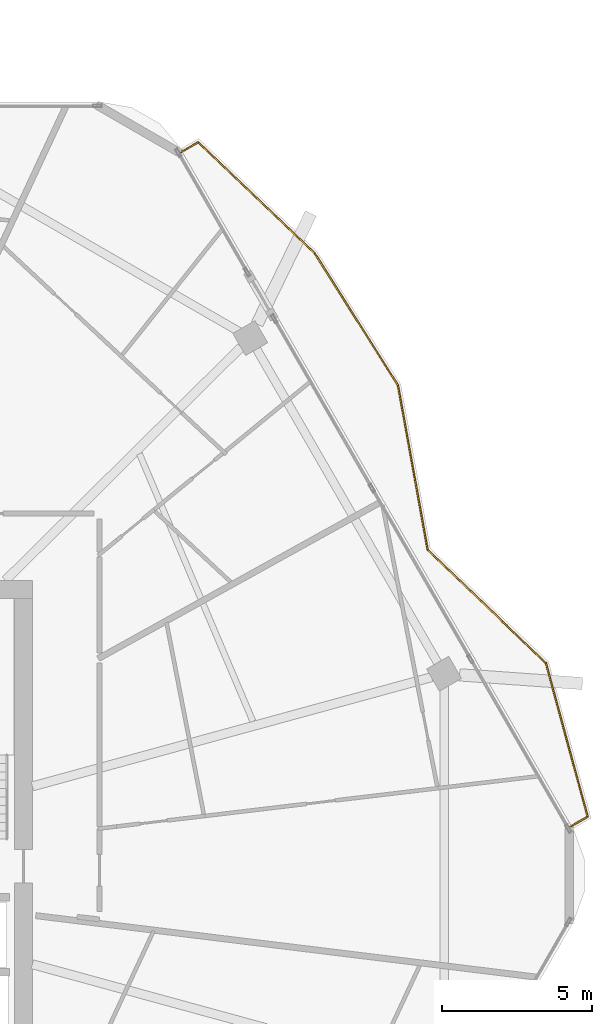
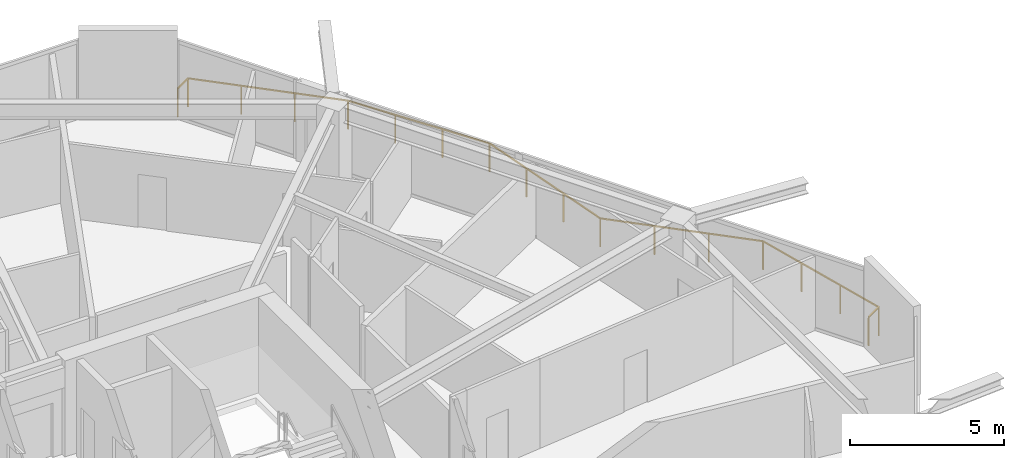
# One storey, part 26 of 26: 1 railing.
"""IFC4 building model written with IfcOpenShell, lengths in metres."""

from ifc_helpers import new_model, si_unit, direction, frame, origin, origin_2d, place, context, subcontext, project, spatial, rectangle, extrude, material, type_object, element, save


model = new_model("IFC4")

# Units and contexts
model_context = context("Model", 3, precision=1e-05, world=origin(), true_north=direction((0.0, 1.0)))
body_context = subcontext(model_context, "Body", "Model", "MODEL_VIEW")
ifc_project = project(units=[si_unit("LENGTHUNIT", "METRE"), si_unit("AREAUNIT", "SQUARE_METRE"), si_unit("VOLUMEUNIT", "CUBIC_METRE"), si_unit("PLANEANGLEUNIT", "RADIAN"), si_unit("MASSUNIT", "GRAM", prefix="KILO")], contexts=[model_context])

# Site, building, storey
site_placement = place(None, origin())
site = spatial("IfcSite", under=ifc_project, at=site_placement, CompositionType="ELEMENT")
building_placement = place(site_placement, origin())
building = spatial("IfcBuilding", under=site, at=building_placement, Name="Zuhravey Tower", CompositionType="ELEMENT")
storey_placement = place(building_placement, frame((0.0, 0.0, 273.0)))
storey = spatial("IfcBuildingStorey", under=building, at=storey_placement, Name="L69", CompositionType="ELEMENT", Elevation=273.0)

# Railing
ifc_material = material(Name="Stainless steel 316 and laminated glass", Category="steel")
railing_type = type_object("IfcRailingType", Name="Balcony & Terrace Guardrail 1150", PredefinedType="BALUSTRADE", material=ifc_material)
railing_placement = place(storey_placement, frame((51.74169921875, 56.031982421875, 0.0)))
element("IfcRailing", 1, at=railing_placement, inside=storey, type_object=railing_type, Name="L69 Face 1 Wave Balcony Guardrail GR1", PredefinedType="BALUSTRADE", context=body_context, shape_type="SweptSolid", body=[
    extrude(rectangle(XDim=0.048095703125, YDim=0.048095703125, at=origin_2d()), frame((0.001708984375, 0.0009765625, 1.1259765625), z_axis=(0.865928695901, 0.500167465571, 0.0), x_axis=(-0.500167465571, 0.865928695901, 0.0)), (0.0, 0.0, 1.0), 0.660888671875),
    extrude(rectangle(XDim=0.048095703125, YDim=0.048095703125, at=origin_2d()), frame((0.5771484375, 0.3310546875, 1.1259765625), z_axis=(0.723303727928, -0.690530026259, 0.0), x_axis=(0.690530026259, 0.723303727928, 0.0)), (0.0, 0.0, 1.0), 5.344482421875),
    extrude(rectangle(XDim=0.048095703125, YDim=0.048095703125, at=origin_2d()), frame((4.4453125, -3.362548828125, 1.1259765625), z_axis=(0.533458279448, -0.8458263794, 0.0), x_axis=(0.8458263794, 0.533458279448, 0.0)), (0.0, 0.0, 1.0), 5.184814453125),
    extrude(rectangle(XDim=0.048095703125, YDim=0.048095703125, at=origin_2d()), frame((7.212646484375, -7.751708984375, 1.1259765625), z_axis=(0.177601563202, -0.984102476751, 0.0), x_axis=(0.984102476751, 0.177601563202, 0.0)), (0.0, 0.0, 1.0), 5.55224609375),
    extrude(rectangle(XDim=0.048095703125, YDim=0.048095703125, at=origin_2d()), frame((8.20068359375, -13.21923828125, 1.1259765625), z_axis=(0.722359060555, -0.691518175924, 0.0), x_axis=(0.691518175924, 0.722359060555, 0.0)), (0.0, 0.0, 1.0), 5.434326171875),
    extrude(rectangle(XDim=0.048095703125, YDim=0.048095703125, at=origin_2d()), frame((12.128173828125, -16.98046875, 1.1259765625), z_axis=(0.262332504219, -0.964977542345, 0.0), x_axis=(0.964977542345, 0.262332504219, 0.0)), (0.0, 0.0, 1.0), 5.286865234375),
    extrude(rectangle(XDim=0.048095703125, YDim=0.048095703125, at=origin_2d()), frame((13.513916015625, -22.0849609375, 1.1259765625), z_axis=(-0.866173323713, -0.499743707602, 0.0), x_axis=(0.499743707602, -0.866173323713, 0.0)), (0.0, 0.0, 1.0), 0.658935546875),
    extrude(rectangle(XDim=0.0419921875, YDim=0.0419921875, at=origin_2d()), origin(), (0.0, 0.0, 1.0), 1.099853515625),
    extrude(rectangle(XDim=0.0419921875, YDim=0.0419921875, at=origin_2d()), frame((0.57568359375, 0.33251953125, 0.0)), (0.0, 0.0, 1.0), 1.099853515625),
    extrude(rectangle(XDim=0.0419921875, YDim=0.0419921875, at=origin_2d()), frame((1.865234375, -0.898681640625, 0.0)), (0.0, 0.0, 1.0), 1.099853515625),
    extrude(rectangle(XDim=0.0419921875, YDim=0.0419921875, at=origin_2d()), frame((3.15478515625, -2.129638671875, 0.0)), (0.0, 0.0, 1.0), 1.099853515625),
    extrude(rectangle(XDim=0.0419921875, YDim=0.0419921875, at=origin_2d()), frame((4.4443359375, -3.36083984375, 0.0)), (0.0, 0.0, 1.0), 1.099853515625),
    extrude(rectangle(XDim=0.0419921875, YDim=0.0419921875, at=origin_2d()), frame((5.366943359375, -4.82373046875, 0.0)), (0.0, 0.0, 1.0), 1.099853515625),
    extrude(rectangle(XDim=0.0419921875, YDim=0.0419921875, at=origin_2d()), frame((6.289794921875, -6.286865234375, 0.0)), (0.0, 0.0, 1.0), 1.099853515625),
    extrude(rectangle(XDim=0.0419921875, YDim=0.0419921875, at=origin_2d()), frame((7.21240234375, -7.749755859375, 0.0)), (0.0, 0.0, 1.0), 1.099853515625),
    extrude(rectangle(XDim=0.0419921875, YDim=0.0419921875, at=origin_2d()), frame((7.541259765625, -9.572509765625, 0.0)), (0.0, 0.0, 1.0), 1.099853515625),
    extrude(rectangle(XDim=0.0419921875, YDim=0.0419921875, at=origin_2d()), frame((7.870361328125, -11.39501953125, 0.0)), (0.0, 0.0, 1.0), 1.099853515625),
    extrude(rectangle(XDim=0.0419921875, YDim=0.0419921875, at=origin_2d()), frame((8.19921875, -13.2177734375, 0.0)), (0.0, 0.0, 1.0), 1.099853515625),
    extrude(rectangle(XDim=0.0419921875, YDim=0.0419921875, at=origin_2d()), frame((9.5087890625, -14.471435546875, 0.0)), (0.0, 0.0, 1.0), 1.099853515625),
    extrude(rectangle(XDim=0.0419921875, YDim=0.0419921875, at=origin_2d()), frame((10.818115234375, -15.724853515625, 0.0)), (0.0, 0.0, 1.0), 1.099853515625),
    extrude(rectangle(XDim=0.0419921875, YDim=0.0419921875, at=origin_2d()), frame((12.127685546875, -16.978515625, 0.0)), (0.0, 0.0, 1.0), 1.099853515625),
    extrude(rectangle(XDim=0.0419921875, YDim=0.0419921875, at=origin_2d()), frame((12.59033203125, -18.680419921875, 0.0)), (0.0, 0.0, 1.0), 1.099853515625),
    extrude(rectangle(XDim=0.0419921875, YDim=0.0419921875, at=origin_2d()), frame((13.052978515625, -20.382080078125, 0.0)), (0.0, 0.0, 1.0), 1.099853515625),
    extrude(rectangle(XDim=0.0419921875, YDim=0.0419921875, at=origin_2d()), frame((13.515625, -22.083984375, 0.0)), (0.0, 0.0, 1.0), 1.099853515625),
    extrude(rectangle(XDim=0.0419921875, YDim=0.0419921875, at=origin_2d()), frame((12.94140625, -22.415283203125, 0.0)), (0.0, 0.0, 1.0), 1.099853515625),
])

save(model, "model.ifc")
